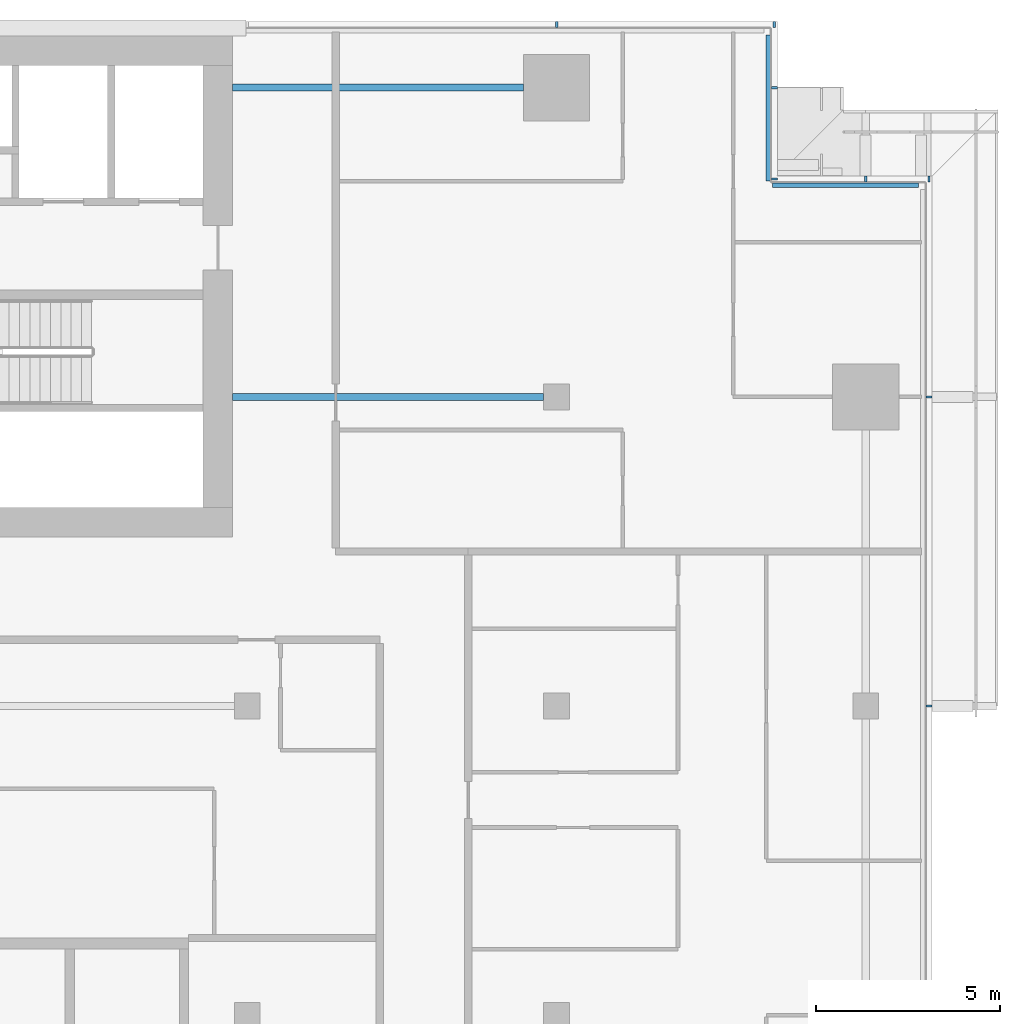
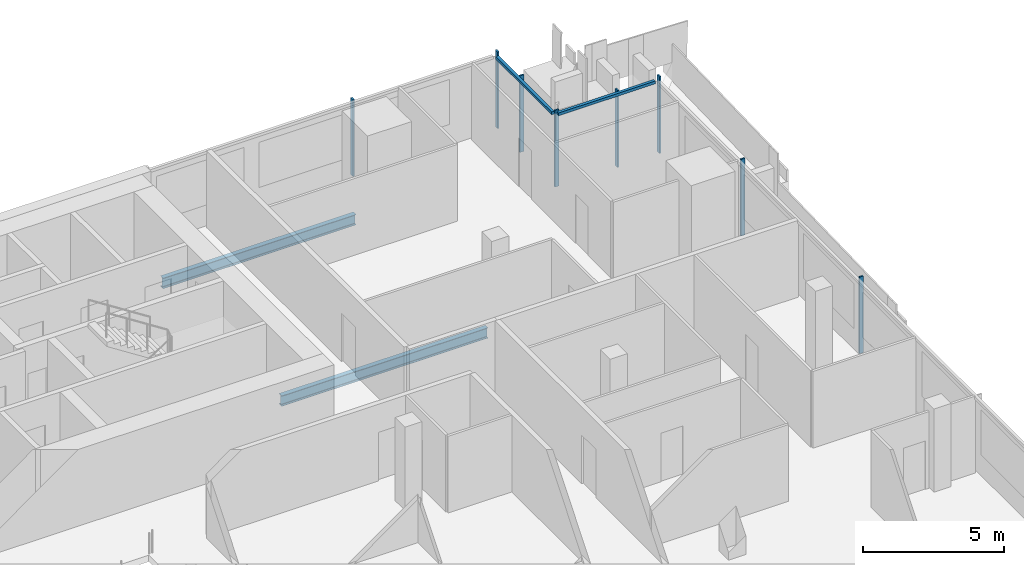
# One storey, part 13 of 29: 10 members, 2 beams, 4 elements without a shape of their own.
"""IFC4 building model written with IfcOpenShell, lengths in metres."""

from ifc_helpers import new_model, si_unit, direction, frame, origin, origin_2d, place, context, subcontext, project, spatial, rectangle, i_section, extrude, material, material_profile, profile_set, type_object, element, aggregate, save


model = new_model("IFC4")

# Units and contexts
model_context = context("Model", 3, precision=1e-05, world=origin(), true_north=direction((0.0, 1.0)))
body_context = subcontext(model_context, "Body", "Model", "MODEL_VIEW")
ifc_project = project(units=[si_unit("LENGTHUNIT", "METRE"), si_unit("AREAUNIT", "SQUARE_METRE"), si_unit("VOLUMEUNIT", "CUBIC_METRE"), si_unit("PLANEANGLEUNIT", "RADIAN"), si_unit("MASSUNIT", "GRAM", prefix="KILO")], contexts=[model_context])

# Site, building, storey
site_placement = place(None, origin())
site = spatial("IfcSite", under=ifc_project, at=site_placement, CompositionType="ELEMENT")
building_placement = place(site_placement, origin())
building = spatial("IfcBuilding", under=site, at=building_placement, Name="Saffron Gate Tower", CompositionType="ELEMENT")
storey_placement = place(building_placement, frame((0.0, 0.0, 187.050048828125)))
storey = spatial("IfcBuildingStorey", under=building, at=storey_placement, Name="L46", CompositionType="ELEMENT", Elevation=187.050048828125)

# Beams
ifc_material_1 = material(Name="Structural steel S355", Category="steel")
ifc_material_profile_1 = material_profile(ifc_material_1, i_section(OverallWidth=0.18994140625, OverallDepth=0.449951171875, WebThickness=0.009521484375, FlangeThickness=0.0146484375, FilletRadius=0.02099609375, at=origin_2d()))
ifc_profile_set_1 = profile_set([ifc_material_profile_1], Name="Structural steel S355")
beam_type = type_object("IfcBeamType", Name="B6 IPE 450", PredefinedType="BEAM", material=ifc_profile_set_1)
beam_1_placement = place(storey_placement, frame((116.64990234375, 65.39990234375, -0.505126953125), z_axis=(-1.0, 0.0, 0.0), x_axis=(0.0, -1.0, 0.0)))
element("IfcBeam", 1, at=beam_1_placement, inside=storey, type_object=beam_type, Name="B6 CORE TIE BEAM", PredefinedType="BEAM", context=body_context, shape_type="SweptSolid", body=[
    extrude(i_section(OverallWidth=0.18994140625, OverallDepth=0.449951171875, WebThickness=0.009521484375, FlangeThickness=0.0146484375, FilletRadius=0.02099609375, at=origin_2d()), origin(), (0.0, 0.0, 1.0), 8.449951171875),
])
beam_2_placement = place(storey_placement, frame((116.10009765625, 73.800048828125, -0.505126953125), z_axis=(-1.0, 0.0, 0.0), x_axis=(0.0, -1.0, 0.0)))
element("IfcBeam", 2, at=beam_2_placement, inside=storey, type_object=beam_type, Name="B6 CORE TIE BEAM", PredefinedType="BEAM", context=body_context, shape_type="SweptSolid", body=[
    extrude(i_section(OverallWidth=0.18994140625, OverallDepth=0.449951171875, WebThickness=0.009521484375, FlangeThickness=0.0146484375, FilletRadius=0.02099609375, at=origin_2d()), origin(), (0.0, 0.0, 1.0), 7.900146484375),
])

# Curtain wall, members
ifc_material_2 = material(Name="Aluminium, bronze anodised", Category="aluminium")
curtain_wall_type_1 = type_object("IfcCurtainWallType", Name="CWS2 curtain wall side facades", PredefinedType="NOTDEFINED", material=ifc_material_2)
curtain_wall_1_placement = place(storey_placement, origin())
curtain_wall_1 = element("IfcCurtainWall", 3, at=curtain_wall_1_placement, inside=storey, type_object=curtain_wall_type_1, Name="CWS2 run 4", PredefinedType="NOTDEFINED")
ifc_material_profile_2 = material_profile(ifc_material_2, rectangle(XDim=0.159912109375, YDim=0.06005859375, at=origin_2d()))
ifc_profile_set_2 = profile_set([ifc_material_profile_2], Name="Aluminium, bronze anodised")
member_type_1 = type_object("IfcMemberType", Name="CWS2 mullion 60x160", PredefinedType="MULLION", material=ifc_profile_set_2)
member_1_placement = place(storey_placement, frame((127.1201171875, 57.0, 0.0), z_axis=(0.0, 0.0, 1.0), x_axis=(-1.0, 0.0, 0.0)))
member_1 = element("IfcMember", 4, at=member_1_placement, type_object=member_type_1, Name="CWS2 mullion 4", PredefinedType="MULLION", context=body_context, shape_type="SweptSolid", body=[
    extrude(rectangle(XDim=0.159912109375, YDim=0.06005859375, at=origin_2d()), origin(), (0.0, 0.0, 1.0), 3.320068359375),
])
member_2_placement = place(storey_placement, frame((127.1201171875, 65.39990234375, 0.0), z_axis=(0.0, 0.0, 1.0), x_axis=(-1.0, 0.0, 0.0)))
member_2 = element("IfcMember", 5, at=member_2_placement, type_object=member_type_1, Name="CWS2 mullion 5", PredefinedType="MULLION", context=body_context, shape_type="SweptSolid", body=[
    extrude(rectangle(XDim=0.159912109375, YDim=0.06005859375, at=origin_2d()), origin(), (0.0, 0.0, 1.0), 3.320068359375),
])
aggregate(curtain_wall_1, [member_1, member_2])

curtain_wall_type_2 = type_object("IfcCurtainWallType", Name="CWS3 curtain wall rear facade", PredefinedType="NOTDEFINED", material=ifc_material_2)
curtain_wall_2_placement = place(storey_placement, origin())
curtain_wall_2 = element("IfcCurtainWall", 6, at=curtain_wall_2_placement, inside=storey, type_object=curtain_wall_type_2, Name="CWS3 run 7", PredefinedType="NOTDEFINED")
ifc_material_profile_3 = material_profile(ifc_material_2, rectangle(XDim=0.159912109375, YDim=0.070068359375, at=origin_2d()))
ifc_profile_set_3 = profile_set([ifc_material_profile_3], Name="Aluminium, bronze anodised")
member_type_2 = type_object("IfcMemberType", Name="CWS3 mullion 70x160", PredefinedType="MULLION", material=ifc_profile_set_3)
member_3_placement = place(storey_placement, frame((122.919921875, 75.52001953125, 0.0), z_axis=(0.0, 0.0, 1.0), x_axis=(0.0, -1.0, 0.0)))
member_3 = element("IfcMember", 7, at=member_3_placement, type_object=member_type_2, Name="CWS3 mullion 1", PredefinedType="MULLION", context=body_context, shape_type="SweptSolid", body=[
    extrude(rectangle(XDim=0.159912109375, YDim=0.070068359375, at=origin_2d()), origin(), (0.0, 0.0, 1.0), 3.320068359375),
])
member_4_placement = place(storey_placement, frame((117.0, 75.52001953125, 0.0), z_axis=(0.0, 0.0, 1.0), x_axis=(0.0, -1.0, 0.0)))
member_4 = element("IfcMember", 8, at=member_4_placement, type_object=member_type_2, Name="CWS3 mullion 2", PredefinedType="MULLION", context=body_context, shape_type="SweptSolid", body=[
    extrude(rectangle(XDim=0.159912109375, YDim=0.070068359375, at=origin_2d()), origin(), (0.0, 0.0, 1.0), 3.320068359375),
])
aggregate(curtain_wall_2, [member_3, member_4])

# Curtain wall, member
curtain_wall_type_3 = type_object("IfcCurtainWallType", Name="CWS4 curtain wall corner returns", PredefinedType="NOTDEFINED", material=ifc_material_2)
curtain_wall_3_placement = place(storey_placement, origin())
curtain_wall_3 = element("IfcCurtainWall", 9, at=curtain_wall_3_placement, inside=storey, type_object=curtain_wall_type_3, Name="CWS4 run 5", PredefinedType="NOTDEFINED")
ifc_material_profile_4 = material_profile(ifc_material_2, rectangle(XDim=0.1201171875, YDim=0.1201171875, at=origin_2d()))
ifc_profile_set_4 = profile_set([ifc_material_profile_4], Name="Aluminium, bronze anodised")
member_type_3 = type_object("IfcMemberType", Name="CWS4 head transom", PredefinedType="USERDEFINED", material=ifc_profile_set_4)
member_5_placement = place(storey_placement, frame((126.83203125, 71.152099609375, 3.260009765625), z_axis=(-1.0, 0.0, 0.0), x_axis=(0.0, -1.0, 0.0)))
member_5 = element("IfcMember", 10, at=member_5_placement, type_object=member_type_3, Name="CWS4 head transom", ObjectType="TRANSOM", PredefinedType="USERDEFINED", context=body_context, shape_type="SweptSolid", body=[
    extrude(rectangle(XDim=0.1201171875, YDim=0.1201171875, at=origin_2d()), origin(), (0.0, 0.0, 1.0), 3.9599609375),
])

curtain_wall_4_placement = place(storey_placement, origin())
curtain_wall_4 = element("IfcCurtainWall", 11, at=curtain_wall_4_placement, inside=storey, type_object=curtain_wall_type_3, Name="CWS4 run 6", PredefinedType="NOTDEFINED")
member_6_placement = place(storey_placement, frame((122.751953125, 71.27197265625, 3.260009765625), z_axis=(0.0, 1.0, 0.0), x_axis=(-1.0, 0.0, 0.0)))
member_6 = element("IfcMember", 12, at=member_6_placement, type_object=member_type_3, Name="CWS4 head transom", ObjectType="TRANSOM", PredefinedType="USERDEFINED", context=body_context, shape_type="SweptSolid", body=[
    extrude(rectangle(XDim=0.1201171875, YDim=0.1201171875, at=origin_2d()), origin(), (0.0, 0.0, 1.0), 3.9599609375),
])

# Member
ifc_material_profile_5 = material_profile(ifc_material_2, rectangle(XDim=0.159912109375, YDim=0.06005859375, at=origin_2d()))
ifc_profile_set_5 = profile_set([ifc_material_profile_5], Name="Aluminium, bronze anodised")
member_type_4 = type_object("IfcMemberType", Name="CWS4 mullion 60x160", PredefinedType="MULLION", material=ifc_profile_set_5)
member_7_placement = place(storey_placement, frame((127.1201171875, 71.320068359375, 0.0), z_axis=(0.0, 0.0, 1.0), x_axis=(0.0, -1.0, 0.0)))
member_7 = element("IfcMember", 13, at=member_7_placement, type_object=member_type_4, Name="CWS4 mullion 1", PredefinedType="MULLION", context=body_context, shape_type="SweptSolid", body=[
    extrude(rectangle(XDim=0.159912109375, YDim=0.06005859375, at=origin_2d()), origin(), (0.0, 0.0, 1.0), 3.320068359375),
])

member_8_placement = place(storey_placement, frame((125.39990234375, 71.320068359375, 0.0), z_axis=(0.0, 0.0, 1.0), x_axis=(0.0, -1.0, 0.0)))
member_8 = element("IfcMember", 14, at=member_8_placement, type_object=member_type_4, Name="CWS4 mullion 2", PredefinedType="MULLION", context=body_context, shape_type="SweptSolid", body=[
    extrude(rectangle(XDim=0.159912109375, YDim=0.06005859375, at=origin_2d()), origin(), (0.0, 0.0, 1.0), 3.320068359375),
])

aggregate(curtain_wall_3, [member_7, member_8, member_5])

member_9_placement = place(storey_placement, frame((122.919921875, 71.320068359375, 0.0), z_axis=(0.0, 0.0, 1.0), x_axis=(-1.0, 0.0, 0.0)))
member_9 = element("IfcMember", 15, at=member_9_placement, type_object=member_type_4, Name="CWS4 mullion 1", PredefinedType="MULLION", context=body_context, shape_type="SweptSolid", body=[
    extrude(rectangle(XDim=0.159912109375, YDim=0.06005859375, at=origin_2d()), origin(), (0.0, 0.0, 1.0), 3.320068359375),
])

member_10_placement = place(storey_placement, frame((122.919921875, 73.800048828125, 0.0), z_axis=(0.0, 0.0, 1.0), x_axis=(-1.0, 0.0, 0.0)))
member_10 = element("IfcMember", 16, at=member_10_placement, type_object=member_type_4, Name="CWS4 mullion 2", PredefinedType="MULLION", context=body_context, shape_type="SweptSolid", body=[
    extrude(rectangle(XDim=0.159912109375, YDim=0.06005859375, at=origin_2d()), origin(), (0.0, 0.0, 1.0), 3.320068359375),
])

aggregate(curtain_wall_4, [member_9, member_10, member_6])

save(model, "model.ifc")
